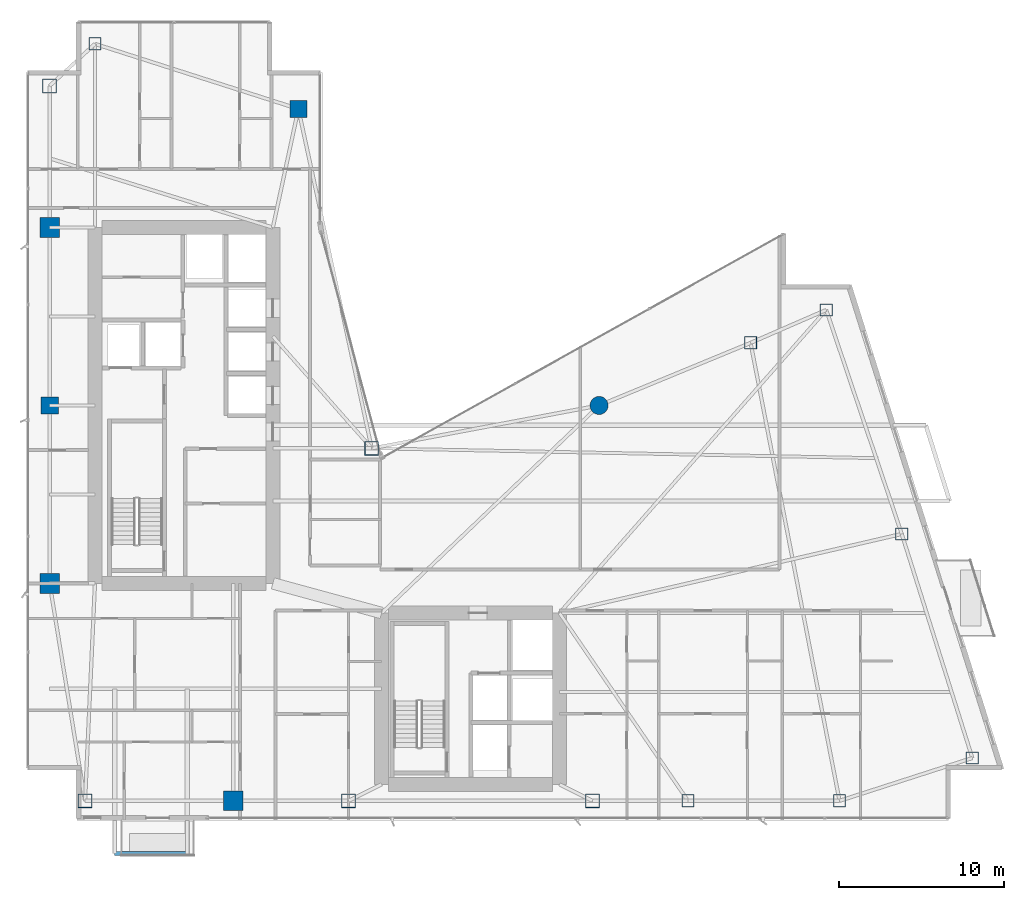
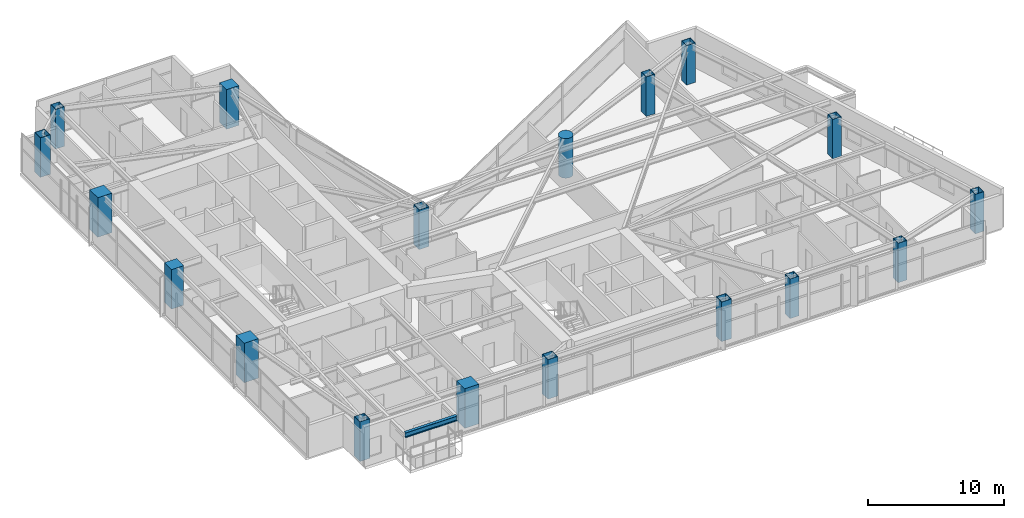
# One storey, part 1 of 28: 18 columns, 1 beam.
"""IFC4 building model written with IfcOpenShell, lengths in metres."""

from ifc_helpers import new_model, si_unit, direction, frame, origin, origin_2d, place, context, subcontext, project, spatial, rectangle, hollow_rectangle, circle, i_section, extrude, material, material_profile, profile_set, type_object, element, save


model = new_model("IFC4")

# Units and contexts
model_context = context("Model", 3, precision=1e-05, world=origin(), true_north=direction((0.0, 1.0)))
body_context = subcontext(model_context, "Body", "Model", "MODEL_VIEW")
ifc_project = project(units=[si_unit("LENGTHUNIT", "METRE"), si_unit("AREAUNIT", "SQUARE_METRE"), si_unit("VOLUMEUNIT", "CUBIC_METRE"), si_unit("PLANEANGLEUNIT", "RADIAN"), si_unit("MASSUNIT", "GRAM", prefix="KILO")], contexts=[model_context])

# Site, building, storey
site_placement = place(None, origin())
site = spatial("IfcSite", under=ifc_project, at=site_placement, CompositionType="ELEMENT")
building_placement = place(site_placement, origin())
building = spatial("IfcBuilding", under=site, at=building_placement, Name="Calvorn Quay Hotel", CompositionType="ELEMENT")
storey_placement = place(building_placement, frame((0.0, 0.0, 156.10009765625)))
storey = spatial("IfcBuildingStorey", under=building, at=storey_placement, Name="L38", CompositionType="ELEMENT", Elevation=156.10009765625)

# Columns
ifc_material_1 = material(Name="Concrete C50", Category="concrete")
ifc_material_profile_1 = material_profile(ifc_material_1, rectangle(XDim=1.050048828125, YDim=1.050048828125, at=origin_2d()), Name="RC1050x1050")
ifc_profile_set_1 = profile_set([ifc_material_profile_1], Name="Concrete C50")
column_type_1 = type_object("IfcColumnType", Name="COL-RC-1050", PredefinedType="COLUMN", material=ifc_profile_set_1)
for number, where, z_axis, x_axis, name in (
    (1, (1.449951171875, 27.60009765625, 0.0), (0.0, 0.0, 1.0), (1.0, 0.0, 0.0), "Column C-W3 (L38)"),
    (2, (16.550048828125, 45.60009765625, 0.0), (0.0, 0.0, 1.0), (1.0, 0.0, 0.0), "Column C-IC1 (L38)"),
):
    element("IfcColumn", number, at=place(storey_placement, frame(where, z_axis=z_axis, x_axis=x_axis)), inside=storey, type_object=column_type_1, Name=name, PredefinedType="COLUMN", context=body_context, shape_type="SweptSolid", body=[
        extrude(rectangle(XDim=1.050048828125, YDim=1.050048828125, at=origin_2d()), origin(), (0.0, 0.0, 1.0), 3.559814453125),
    ])
ifc_material_2 = material(Name="Concrete C50", Category="concrete")
ifc_material_profile_2 = material_profile(ifc_material_2, rectangle(XDim=1.199951171875, YDim=1.199951171875, at=origin_2d()), Name="RC1200x1200")
ifc_profile_set_2 = profile_set([ifc_material_profile_2], Name="Concrete C50")
column_type_2 = type_object("IfcColumnType", Name="COL-RC-1200", PredefinedType="COLUMN", material=ifc_profile_set_2)
for number, where, z_axis, x_axis, name in (
    (3, (1.449951171875, 16.800048828125, 0.0), (0.0, 0.0, 1.0), (1.0, 0.0, 0.0), "Column C-W2 (L38)"),
    (4, (1.449951171875, 38.39990234375, 0.0), (0.0, 0.0, 1.0), (1.0, 0.0, 0.0), "Column C-W4 (L38)"),
    (5, (12.60009765625, 3.60009765625, 0.0), (0.0, 0.0, 1.0), (1.0, 0.0, 0.0), "Column C-S1 (L38)"),
):
    element("IfcColumn", number, at=place(storey_placement, frame(where, z_axis=z_axis, x_axis=x_axis)), inside=storey, type_object=column_type_2, Name=name, PredefinedType="COLUMN", context=body_context, shape_type="SweptSolid", body=[
        extrude(rectangle(XDim=1.199951171875, YDim=1.199951171875, at=origin_2d()), origin(), (0.0, 0.0, 1.0), 3.559814453125),
    ])
ifc_material_3 = material(Name="Concrete C50", Category="concrete")
ifc_material_profile_3 = material_profile(ifc_material_3, circle(Radius=0.550048828125, at=origin_2d()), Name="RCD1100")
ifc_profile_set_3 = profile_set([ifc_material_profile_3], Name="Concrete C50")
column_type_3 = type_object("IfcColumnType", Name="COL-RC-D1100", PredefinedType="COLUMN", material=ifc_profile_set_3)
column_placement = place(storey_placement, frame((34.800048828125, 27.60009765625, 0.0), z_axis=(0.0, 0.0, 1.0), x_axis=(1.0, 0.0, 0.0)))
element("IfcColumn", 6, at=column_placement, inside=storey, type_object=column_type_3, Name="Column C-NC1 (L38)", PredefinedType="COLUMN", context=body_context, shape_type="SweptSolid", body=[
    extrude(circle(Radius=0.550048828125, at=origin_2d()), origin(), (0.0, 0.0, 1.0), 3.559814453125),
])
ifc_material_4 = material(Name="Steel Q390GJC", Category="steel")
ifc_material_profile_4 = material_profile(ifc_material_4, hollow_rectangle(XDim=0.85009765625, YDim=0.85009765625, WallThickness=0.035888671875, at=origin_2d()), Name="BOX850x850x36")
ifc_profile_set_4 = profile_set([ifc_material_profile_4], Name="Steel Q390GJC")
column_type_4 = type_object("IfcColumnType", Name="COL-STL-Z2", PredefinedType="COLUMN", material=ifc_profile_set_4)
for number, where, z_axis, x_axis, name in (
    (7, (3.60009765625, 3.60009765625, 0.0), (0.0, 0.0, 1.0), (1.0, 0.0, 0.0), "Column C-W1 (L38)"),
    (8, (1.449951171875, 47.0, 0.0), (0.0, 0.0, 1.0), (1.0, 0.0, 0.0), "Column C-W5 (L38)"),
    (9, (21.0, 25.0, 0.0), (0.0, 0.0, 1.0), (1.0, 0.0, 0.0), "Column C-IC2 (L38)"),
    (10, (19.60009765625, 3.60009765625, 0.0), (0.0, 0.0, 1.0), (1.0, 0.0, 0.0), "Column C-S2 (L38)"),
    (11, (34.39990234375, 3.60009765625, 0.0), (0.0, 0.0, 1.0), (1.0, 0.0, 0.0), "Column C-S3 (L38)"),
):
    element("IfcColumn", number, at=place(storey_placement, frame(where, z_axis=z_axis, x_axis=x_axis)), inside=storey, type_object=column_type_4, Name=name, PredefinedType="COLUMN", context=body_context, shape_type="SweptSolid", body=[
        extrude(hollow_rectangle(XDim=0.85009765625, YDim=0.85009765625, WallThickness=0.035888671875, at=origin_2d()), origin(), (0.0, 0.0, 1.0), 3.559814453125),
    ])
ifc_material_5 = material(Name="Steel Q390GJC", Category="steel")
ifc_material_profile_5 = material_profile(ifc_material_5, hollow_rectangle(XDim=0.75, YDim=0.75, WallThickness=0.031982421875, at=origin_2d()), Name="BOX750x750x32")
ifc_profile_set_5 = profile_set([ifc_material_profile_5], Name="Steel Q390GJC")
column_type_5 = type_object("IfcColumnType", Name="COL-STL-Z3", PredefinedType="COLUMN", material=ifc_profile_set_5)
for number, where, z_axis, x_axis, name in (
    (12, (4.199951171875, 49.550048828125, 0.0), (0.0, 0.0, 1.0), (1.0, 0.0, 0.0), "Column C-NW1 (L38)"),
    (13, (40.199951171875, 3.60009765625, 0.0), (0.0, 0.0, 1.0), (1.0, 0.0, 0.0), "Column C-S4 (L38)"),
    (14, (49.39990234375, 3.60009765625, 0.0), (0.0, 0.0, 1.0), (1.0, 0.0, 0.0), "Column C-S5 (L38)"),
    (15, (44.0, 31.39990234375, 0.0), (0.0, 0.0, 1.0), (1.0, 0.0, 0.0), "Column C-NC2 (L38)"),
    (16, (57.4609375, 6.199951171875, 0.0), (0.0, 0.0, 1.0), (1.0, 0.0, 0.0), "Column C-ET1 (L38)"),
    (17, (53.176025390625, 19.800048828125, 0.0), (0.0, 0.0, 1.0), (1.0, 0.0, 0.0), "Column C-ET2 (L38)"),
    (18, (48.591064453125, 33.39990234375, 0.0), (0.0, 0.0, 1.0), (1.0, 0.0, 0.0), "Column C-ET3 (L38)"),
):
    element("IfcColumn", number, at=place(storey_placement, frame(where, z_axis=z_axis, x_axis=x_axis)), inside=storey, type_object=column_type_5, Name=name, PredefinedType="COLUMN", context=body_context, shape_type="SweptSolid", body=[
        extrude(hollow_rectangle(XDim=0.75, YDim=0.75, WallThickness=0.031982421875, at=origin_2d()), origin(), (0.0, 0.0, 1.0), 3.559814453125),
    ])

# Beam
ifc_material_6 = material(Name="Steel Q355B", Category="steel")
ifc_material_profile_6 = material_profile(ifc_material_6, i_section(OverallWidth=0.25, OverallDepth=0.449951171875, WebThickness=0.011962890625, FlangeThickness=0.01611328125, FilletRadius=0.01611328125, at=origin_2d()), Name="HN450x250x12x16")
ifc_profile_set_6 = profile_set([ifc_material_profile_6], Name="Steel Q355B")
beam_type = type_object("IfcBeamType", Name="BM-CANT-BALC", PredefinedType="BEAM", material=ifc_profile_set_6)
beam_placement = place(storey_placement, frame((5.39990234375, 0.409912109375, 3.31494140625), z_axis=(1.0, 0.0, 0.0), x_axis=(0.0, 1.0, 0.0)))
element("IfcBeam", 19, at=beam_placement, inside=storey, type_object=beam_type, Name="Beam BCBO-L39-2", PredefinedType="BEAM", context=body_context, shape_type="SweptSolid", body=[
    extrude(i_section(OverallWidth=0.25, OverallDepth=0.449951171875, WebThickness=0.011962890625, FlangeThickness=0.01611328125, FilletRadius=0.01611328125, at=origin_2d()), origin(), (0.0, 0.0, 1.0), 4.400146484375),
])

save(model, "model.ifc")
